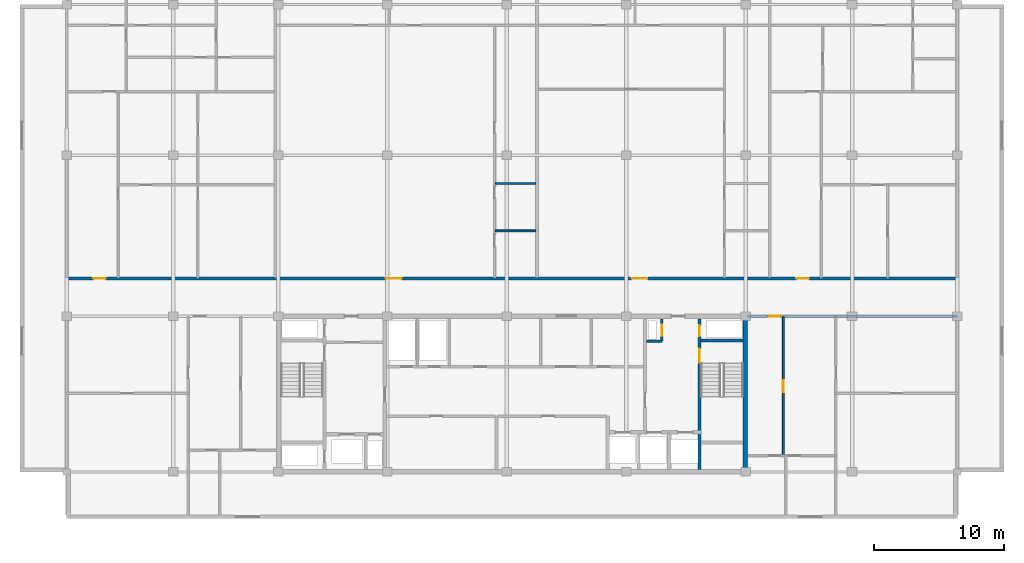
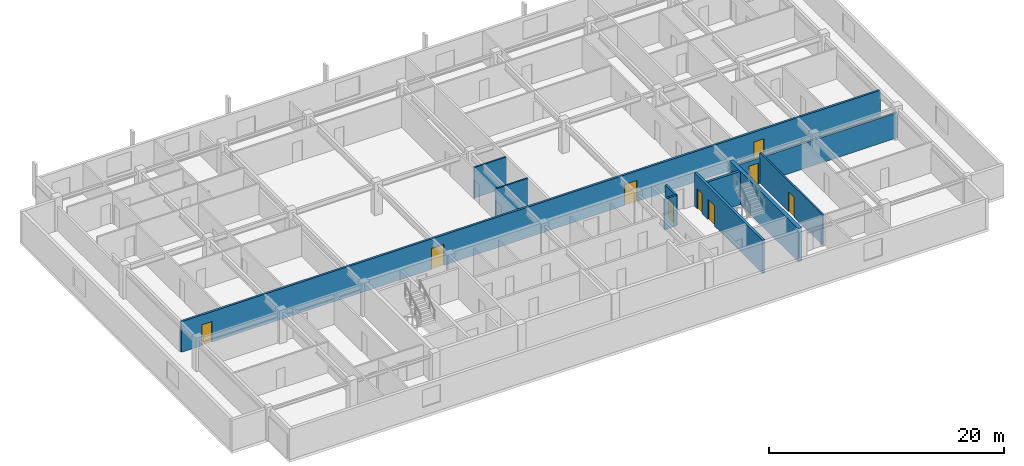
# One storey, part 5 of 10: 10 walls, 9 doors, 9 openings.
"""IFC4 building model written with IfcOpenShell, lengths in metres."""

from ifc_helpers import new_model, si_unit, direction, frame, frame_2d, origin, place, context, subcontext, project, spatial, rectangle, extrude, material, layer, layer_set, type_object, element, fill, save


model = new_model("IFC4")

# Units and contexts
model_context = context("Model", 3, precision=1e-05, world=origin(), true_north=direction((0.0, 1.0)))
body_context = subcontext(model_context, "Body", "Model", "MODEL_VIEW")
ifc_project = project(units=[si_unit("LENGTHUNIT", "METRE"), si_unit("AREAUNIT", "SQUARE_METRE"), si_unit("VOLUMEUNIT", "CUBIC_METRE"), si_unit("PLANEANGLEUNIT", "RADIAN"), si_unit("MASSUNIT", "GRAM", prefix="KILO")], contexts=[model_context])

# Site, building, storey
site_placement = place(None, origin())
site = spatial("IfcSite", under=ifc_project, at=site_placement, CompositionType="ELEMENT")
building_placement = place(site_placement, origin())
building = spatial("IfcBuilding", under=site, at=building_placement, Name="Korimba Cascade Residences", CompositionType="ELEMENT")
storey_placement = place(building_placement, frame((0.0, 0.0, 239.0)))
storey = spatial("IfcBuildingStorey", under=building, at=storey_placement, Name="L69", CompositionType="ELEMENT", Elevation=239.0)

# Wall
ifc_material_1 = material(Name="Concrete C65/80", Category="concrete")
ifc_layer_1 = layer(ifc_material_1, 0.35009765625)
ifc_layer_set_1 = layer_set([ifc_layer_1], Name="Concrete C65/80")
wall_type_1 = type_object("IfcWallType", Name="WAL-CORE-350", PredefinedType="SHEAR", material=ifc_layer_set_1)
wall_1_placement = place(storey_placement, frame((112.074951171875, 55.375, 0.0), z_axis=(0.0, 0.0, 1.0), x_axis=(0.0, 1.0, 0.0)))
element("IfcWall", 1, at=wall_1_placement, inside=storey, type_object=wall_type_1, Name="L69 Core Shear Wall CW-L69-T1-E", PredefinedType="SHEAR", context=body_context, shape_type="SweptSolid", body=[
    extrude(rectangle(XDim=11.64990234375, YDim=0.35009765625, at=frame_2d((5.824951171875, 0.0))), origin(), (0.0, 0.0, 1.0), 3.449951171875),
])

# Wall, opening, door
ifc_material_2 = material(Name="Precast concrete C40/50", Category="concrete")
ifc_layer_2 = layer(ifc_material_2, 0.199951171875)
ifc_layer_set_2 = layer_set([ifc_layer_2], Name="Precast concrete C40/50")
wall_type_2 = type_object("IfcWallType", Name="WAL-IT-200", PredefinedType="PARTITIONING", material=ifc_layer_set_2)
wall_2_placement = place(storey_placement, frame((112.25, 67.199951171875, 0.0), z_axis=(0.0, 0.0, 1.0), x_axis=(1.0, 0.0, 0.0)))
wall_2 = element("IfcWall", 2, at=wall_2_placement, inside=storey, type_object=wall_type_2, Name="L69 Partition Wall WAL-L69-T1-FE-N", PredefinedType="PARTITIONING", context=body_context, shape_type="SweptSolid", body=[
    extrude(rectangle(XDim=16.14990234375, YDim=0.199951171875, at=frame_2d((8.074951171875, 0.0))), origin(), (0.0, 0.0, 1.0), 2.63330078125),
])
opening_1_placement = place(wall_2_placement, frame((1.580078125, 0.0, 0.0)))
opening_1 = element("IfcOpeningElement", 3, at=opening_1_placement, cuts=wall_2, Name="Opening D-UN1", PredefinedType="OPENING", context=body_context, shape_type="SweptSolid", body=[
    extrude(rectangle(XDim=0.949951171875, YDim=2.14990234375, at=frame_2d((0.47509765625, 1.074951171875))), frame((0.0, 0.10986328125, 0.0), z_axis=(0.0, -1.0, 0.0), x_axis=(1.0, 0.0, 0.0)), (0.0, 0.0, 1.0), 0.219970703125),
])
ifc_material_3 = material(Name="Fire-Rated Hardwood Apartment Entrance Door", Category="wood")
door_type_1 = type_object("IfcDoorType", Name="DR-FD60-950", OperationType="NOTDEFINED", PredefinedType="DOOR", material=ifc_material_3)
door_1_placement = place(opening_1_placement, origin())
door_1 = element("IfcDoor", 4, at=door_1_placement, inside=storey, type_object=door_type_1, Name="L69-T1-FE Entrance Door", OperationType="SINGLE_SWING_LEFT", OverallHeight=2.14990234375, OverallWidth=0.949951171875, PredefinedType="DOOR", context=body_context, shape_type="SweptSolid", body=[
    extrude(rectangle(XDim=0.949951171875, YDim=2.14990234375, at=frame_2d((0.47509765625, 1.074951171875))), frame((0.0, 0.02490234375, 0.0), z_axis=(0.0, -1.0, 0.0), x_axis=(1.0, 0.0, 0.0)), (0.0, 0.0, 1.0), 0.050048828125),
])
fill(opening_1, door_1)

# Wall, openings, doors
wall_3_placement = place(storey_placement, frame((59.800048828125, 70.10009765625, 0.0), z_axis=(0.0, 0.0, 1.0), x_axis=(1.0, 0.0, 0.0)))
wall_3 = element("IfcWall", 5, at=wall_3_placement, inside=storey, type_object=wall_type_2, Name="L69 Partition Wall WAL-L69-T1-CORN", PredefinedType="PARTITIONING", context=body_context, shape_type="SweptSolid", body=[
    extrude(rectangle(XDim=68.599853515625, YDim=0.199951171875, at=frame_2d((34.2998046875, 0.0))), origin(), (0.0, 0.0, 1.0), 3.169921875),
])
opening_2_placement = place(wall_3_placement, frame((2.044921875, 0.0, 0.0)))
opening_2 = element("IfcOpeningElement", 6, at=opening_2_placement, cuts=wall_3, Name="Opening D-UN1", PredefinedType="OPENING", context=body_context, shape_type="SweptSolid", body=[
    extrude(rectangle(XDim=0.949951171875, YDim=2.14990234375, at=frame_2d((0.47509765625, 1.074951171875))), frame((0.0, 0.10986328125, 0.0), z_axis=(0.0, -1.0, 0.0), x_axis=(1.0, 0.0, 0.0)), (0.0, 0.0, 1.0), 0.219970703125),
])
opening_3_placement = place(wall_3_placement, frame((24.569580078125, 0.0, 0.0)))
opening_3 = element("IfcOpeningElement", 7, at=opening_3_placement, cuts=wall_3, Name="Opening D-AM1", PredefinedType="OPENING", context=body_context, shape_type="SweptSolid", body=[
    extrude(rectangle(XDim=1.219970703125, YDim=2.179931640625, at=frame_2d((0.60986328125, 1.08984375))), frame((0.0, 0.10986328125, 0.0), z_axis=(0.0, -1.0, 0.0), x_axis=(1.0, 0.0, 0.0)), (0.0, 0.0, 1.0), 0.219970703125),
])
opening_4_placement = place(wall_3_placement, frame((43.506591796875, 0.0, 0.0)))
opening_4 = element("IfcOpeningElement", 8, at=opening_4_placement, cuts=wall_3, Name="Opening D-AM1", PredefinedType="OPENING", context=body_context, shape_type="SweptSolid", body=[
    extrude(rectangle(XDim=1.219970703125, YDim=2.179931640625, at=frame_2d((0.60986328125, 1.08984375))), frame((0.0, 0.10986328125, 0.0), z_axis=(0.0, -1.0, 0.0), x_axis=(1.0, 0.0, 0.0)), (0.0, 0.0, 1.0), 0.219970703125),
])
opening_5_placement = place(wall_3_placement, frame((56.2138671875, 0.0, 0.0)))
opening_5 = element("IfcOpeningElement", 9, at=opening_5_placement, cuts=wall_3, Name="Opening D-UN1", PredefinedType="OPENING", context=body_context, shape_type="SweptSolid", body=[
    extrude(rectangle(XDim=0.949951171875, YDim=2.14990234375, at=frame_2d((0.47509765625, 1.074951171875))), frame((0.0, 0.10986328125, 0.0), z_axis=(0.0, -1.0, 0.0), x_axis=(1.0, 0.0, 0.0)), (0.0, 0.0, 1.0), 0.219970703125),
])
ifc_material_4 = material(Name="Fire-Rated Glazed Timber Suite Door", Category="wood")
door_type_2 = type_object("IfcDoorType", Name="DR-FD60-1200", OperationType="NOTDEFINED", PredefinedType="DOOR", material=ifc_material_4)
door_2_placement = place(opening_3_placement, origin())
door_2 = element("IfcDoor", 10, at=door_2_placement, inside=storey, type_object=door_type_2, Name="L69-T1-U02 Executive Co-Working Office Door", OperationType="SINGLE_SWING_RIGHT", OverallHeight=2.179931640625, OverallWidth=1.219970703125, PredefinedType="DOOR", context=body_context, shape_type="SweptSolid", body=[
    extrude(rectangle(XDim=1.219970703125, YDim=2.179931640625, at=frame_2d((0.60986328125, 1.08984375))), frame((0.0, 0.02490234375, 0.0), z_axis=(0.0, -1.0, 0.0), x_axis=(1.0, 0.0, 0.0)), (0.0, 0.0, 1.0), 0.050048828125),
])
fill(opening_3, door_2)
door_3_placement = place(opening_4_placement, origin())
door_3 = element("IfcDoor", 11, at=door_3_placement, inside=storey, type_object=door_type_2, Name="L69-T1-U03 Health Consultation Clinic Door", OperationType="SINGLE_SWING_LEFT", OverallHeight=2.179931640625, OverallWidth=1.219970703125, PredefinedType="DOOR", context=body_context, shape_type="SweptSolid", body=[
    extrude(rectangle(XDim=1.219970703125, YDim=2.179931640625, at=frame_2d((0.60986328125, 1.08984375))), frame((0.0, 0.02490234375, 0.0), z_axis=(0.0, -1.0, 0.0), x_axis=(1.0, 0.0, 0.0)), (0.0, 0.0, 1.0), 0.050048828125),
])
fill(opening_4, door_3)
door_4_placement = place(opening_2_placement, origin())
door_4 = element("IfcDoor", 12, at=door_4_placement, inside=storey, type_object=door_type_1, Name="Unit L69-T1-U01 Entrance Door", OperationType="SINGLE_SWING_LEFT", OverallHeight=2.14990234375, OverallWidth=0.949951171875, PredefinedType="DOOR", context=body_context, shape_type="SweptSolid", body=[
    extrude(rectangle(XDim=0.949951171875, YDim=2.14990234375, at=frame_2d((0.47509765625, 1.074951171875))), frame((0.0, 0.02490234375, 0.0), z_axis=(0.0, -1.0, 0.0), x_axis=(1.0, 0.0, 0.0)), (0.0, 0.0, 1.0), 0.050048828125),
])
fill(opening_2, door_4)
door_5_placement = place(opening_5_placement, origin())
door_5 = element("IfcDoor", 13, at=door_5_placement, inside=storey, type_object=door_type_1, Name="Unit L69-T1-U04 Entrance Door", OperationType="SINGLE_SWING_RIGHT", OverallHeight=2.14990234375, OverallWidth=0.949951171875, PredefinedType="DOOR", context=body_context, shape_type="SweptSolid", body=[
    extrude(rectangle(XDim=0.949951171875, YDim=2.14990234375, at=frame_2d((0.47509765625, 1.074951171875))), frame((0.0, 0.02490234375, 0.0), z_axis=(0.0, -1.0, 0.0), x_axis=(1.0, 0.0, 0.0)), (0.0, 0.0, 1.0), 0.050048828125),
])
fill(opening_5, door_5)

# Wall, opening, door
ifc_material_5 = material(Name="Insulated Acoustic Stud Partition", Category="gypsum")
ifc_layer_3 = layer(ifc_material_5, 0.14990234375)
ifc_layer_set_3 = layer_set([ifc_layer_3], Name="Insulated Acoustic Stud Partition")
wall_type_3 = type_object("IfcWallType", Name="WAL-PART-150", PredefinedType="PARTITIONING", material=ifc_layer_set_3)
wall_4_placement = place(storey_placement, frame((115.0, 56.449951171875, 0.0), z_axis=(0.0, 0.0, 1.0), x_axis=(0.0, 1.0, 0.0)))
wall_4 = element("IfcWall", 14, at=wall_4_placement, inside=storey, type_object=wall_type_3, Name="L69 Partition Wall WAL-L69-T1-FE-VN", PredefinedType="PARTITIONING", context=body_context, shape_type="SweptSolid", body=[
    extrude(rectangle(XDim=10.699951171875, YDim=0.14990234375, at=frame_2d((5.35009765625, 0.0))), origin(), (0.0, 0.0, 1.0), 3.169921875),
])
opening_6_placement = place(wall_4_placement, frame((4.889892578125, 0.0, 0.0)))
opening_6 = element("IfcOpeningElement", 15, at=opening_6_placement, cuts=wall_4, Name="Opening D-IN1", PredefinedType="OPENING", context=body_context, shape_type="SweptSolid", body=[
    extrude(rectangle(XDim=0.919921875, YDim=2.080078125, at=frame_2d((0.4599609375, 1.0400390625))), frame((0.0, 0.0849609375, 0.0), z_axis=(0.0, -1.0, 0.0), x_axis=(1.0, 0.0, 0.0)), (0.0, 0.0, 1.0), 0.169921875),
])
ifc_material_6 = material(Name="Acoustic Timber Living Door", Category="wood")
door_type_3 = type_object("IfcDoorType", Name="DR-INT-920", OperationType="NOTDEFINED", PredefinedType="DOOR", material=ifc_material_6)
door_6_placement = place(opening_6_placement, origin())
door_6 = element("IfcDoor", 16, at=door_6_placement, inside=storey, type_object=door_type_3, Name="L69-T1-FE Living Door", OperationType="SINGLE_SWING_RIGHT", OverallHeight=2.080078125, OverallWidth=0.919921875, PredefinedType="DOOR", context=body_context, shape_type="SweptSolid", body=[
    extrude(rectangle(XDim=0.919921875, YDim=2.080078125, at=frame_2d((0.4599609375, 1.0400390625))), frame((0.0, 0.02490234375, 0.0), z_axis=(0.0, -1.0, 0.0), x_axis=(1.0, 0.0, 0.0)), (0.0, 0.0, 1.0), 0.050048828125),
])
fill(opening_6, door_6)

# Walls
for number, where, z_axis, x_axis, name in (
    (17, (92.814208984375, 73.77001953125, 0.0), (0.0, 0.0, 1.0), (1.0, 0.0, 0.0), "L69 Partition Wall WAL-L69-T1-U02-WCH"),
    (18, (92.814208984375, 77.419921875, 0.0), (0.0, 0.0, 1.0), (1.0, 0.0, 0.0), "L69 Partition Wall WAL-L69-T1-U02-WCH2"),
):
    element("IfcWall", number, at=place(storey_placement, frame(where, z_axis=z_axis, x_axis=x_axis)), inside=storey, type_object=wall_type_3, Name=name, PredefinedType="PARTITIONING", context=body_context, shape_type="SweptSolid", body=[
        extrude(rectangle(XDim=3.130126953125, YDim=0.14990234375, at=frame_2d((1.56494140625, 0.0))), origin(), (0.0, 0.0, 1.0), 3.169921875),
    ])
ifc_material_7 = material(Name="Concrete C40/50", Category="concrete")
ifc_layer_4 = layer(ifc_material_7, 0.199951171875)
ifc_layer_set_4 = layer_set([ifc_layer_4], Name="Concrete C40/50")
wall_type_4 = type_object("IfcWallType", Name="WAL-PART-200", PredefinedType="PARTITIONING", material=ifc_layer_set_4)
wall_5_placement = place(storey_placement, frame((104.449951171875, 65.280029296875, 0.0), z_axis=(0.0, 0.0, 1.0), x_axis=(1.0, 0.0, 0.0)))
element("IfcWall", 19, at=wall_5_placement, inside=storey, type_object=wall_type_4, Name="L69 Partition Wall CW-L69-T1-HYDW2S", PredefinedType="PARTITIONING", context=body_context, shape_type="SweptSolid", body=[
    extrude(rectangle(XDim=1.199951171875, YDim=0.199951171875, at=frame_2d((0.60009765625, 0.0))), origin(), (0.0, 0.0, 1.0), 3.169921875),
])

# Wall, opening, door
wall_6_placement = place(storey_placement, frame((105.64990234375, 65.280029296875, 0.0), z_axis=(0.0, 0.0, 1.0), x_axis=(0.0, 1.0, 0.0)))
wall_6 = element("IfcWall", 20, at=wall_6_placement, inside=storey, type_object=wall_type_4, Name="L69 Partition Wall CW-L69-T1-HYDW2E", PredefinedType="PARTITIONING", context=body_context, shape_type="SweptSolid", body=[
    extrude(rectangle(XDim=1.719970703125, YDim=0.199951171875, at=frame_2d((0.85986328125, 0.0))), origin(), (0.0, 0.0, 1.0), 3.169921875),
])
opening_7_placement = place(wall_6_placement, frame((0.39990234375, 0.0, 0.0)))
opening_7 = element("IfcOpeningElement", 21, at=opening_7_placement, cuts=wall_6, Name="Opening D-RS1", PredefinedType="OPENING", context=body_context, shape_type="SweptSolid", body=[
    extrude(rectangle(XDim=0.85009765625, YDim=2.050048828125, at=frame_2d((0.425048828125, 1.02490234375))), frame((0.0, 0.10986328125, 0.0), z_axis=(0.0, -1.0, 0.0), x_axis=(1.0, 0.0, 0.0)), (0.0, 0.0, 1.0), 0.219970703125),
])
ifc_material_8 = material(Name="Fire-Rated Steel Riser Access Door", Category="steel")
door_type_4 = type_object("IfcDoorType", Name="DR-FD60-850", OperationType="NOTDEFINED", PredefinedType="DOOR", material=ifc_material_8)
door_7_placement = place(opening_7_placement, origin())
door_7 = element("IfcDoor", 22, at=door_7_placement, inside=storey, type_object=door_type_4, Name="L69 East Hydrant Door", OperationType="SINGLE_SWING_RIGHT", OverallHeight=2.050048828125, OverallWidth=0.85009765625, PredefinedType="DOOR", context=body_context, shape_type="SweptSolid", body=[
    extrude(rectangle(XDim=0.85009765625, YDim=2.050048828125, at=frame_2d((0.425048828125, 1.02490234375))), frame((0.0, 0.02490234375, 0.0), z_axis=(0.0, -1.0, 0.0), x_axis=(1.0, 0.0, 0.0)), (0.0, 0.0, 1.0), 0.050048828125),
])
fill(opening_7, door_7)

# Wall, openings, doors
ifc_material_9 = material(Name="Concrete C50/60", Category="concrete")
ifc_layer_5 = layer(ifc_material_9, 0.25)
ifc_layer_set_5 = layer_set([ifc_layer_5], Name="Concrete C50/60")
wall_type_5 = type_object("IfcWallType", Name="WAL-SHAFT-250", PredefinedType="SHEAR", material=ifc_layer_set_5)
wall_7_placement = place(storey_placement, frame((108.534912109375, 55.39990234375, 0.0), z_axis=(0.0, 0.0, 1.0), x_axis=(0.0, 1.0, 0.0)))
wall_7 = element("IfcWall", 23, at=wall_7_placement, inside=storey, type_object=wall_type_5, Name="L69 Core Shear Wall CW-L69-T1-STW2W", PredefinedType="SHEAR", context=body_context, shape_type="SweptSolid", body=[
    extrude(rectangle(XDim=11.60009765625, YDim=0.25, at=frame_2d((5.800048828125, 0.0))), origin(), (0.0, 0.0, 1.0), 3.449951171875),
])
opening_8_placement = place(wall_7_placement, frame((8.199951171875, 0.0, 0.0)))
opening_8 = element("IfcOpeningElement", 24, at=opening_8_placement, cuts=wall_7, Name="Opening D-FD1", PredefinedType="OPENING", context=body_context, shape_type="SweptSolid", body=[
    extrude(rectangle(XDim=1.10009765625, YDim=2.10009765625, at=frame_2d((0.550048828125, 1.050048828125))), frame((0.0, 0.135009765625, 0.0), z_axis=(0.0, -1.0, 0.0), x_axis=(1.0, 0.0, 0.0)), (0.0, 0.0, 1.0), 0.27001953125),
])
opening_9_placement = place(wall_7_placement, frame((10.25, 0.0, 0.0)))
opening_9 = element("IfcOpeningElement", 25, at=opening_9_placement, cuts=wall_7, Name="Opening D-RS1", PredefinedType="OPENING", context=body_context, shape_type="SweptSolid", body=[
    extrude(rectangle(XDim=0.85009765625, YDim=2.050048828125, at=frame_2d((0.425048828125, 1.02490234375))), frame((0.0, 0.135009765625, 0.0), z_axis=(0.0, -1.0, 0.0), x_axis=(1.0, 0.0, 0.0)), (0.0, 0.0, 1.0), 0.27001953125),
])
ifc_material_10 = material(Name="Fire-Rated Steel Core Door", Category="steel")
door_type_5 = type_object("IfcDoorType", Name="DR-FD120-1100", OperationType="NOTDEFINED", PredefinedType="DOOR", material=ifc_material_10)
door_8_placement = place(opening_8_placement, origin())
door_8 = element("IfcDoor", 26, at=door_8_placement, inside=storey, type_object=door_type_5, Name="L69 Fire Stair ST-W2 Door", OperationType="SINGLE_SWING_RIGHT", OverallHeight=2.10009765625, OverallWidth=1.10009765625, PredefinedType="DOOR", context=body_context, shape_type="SweptSolid", body=[
    extrude(rectangle(XDim=1.10009765625, YDim=2.10009765625, at=frame_2d((0.550048828125, 1.050048828125))), frame((0.0, 0.02490234375, 0.0), z_axis=(0.0, -1.0, 0.0), x_axis=(1.0, 0.0, 0.0)), (0.0, 0.0, 1.0), 0.050048828125),
])
fill(opening_8, door_8)
door_9_placement = place(opening_9_placement, origin())
door_9 = element("IfcDoor", 27, at=door_9_placement, inside=storey, type_object=door_type_4, Name="L69 East Riser Door", OperationType="SINGLE_SWING_LEFT", OverallHeight=2.050048828125, OverallWidth=0.85009765625, PredefinedType="DOOR", context=body_context, shape_type="SweptSolid", body=[
    extrude(rectangle(XDim=0.85009765625, YDim=2.050048828125, at=frame_2d((0.425048828125, 1.02490234375))), frame((0.0, 0.02490234375, 0.0), z_axis=(0.0, -1.0, 0.0), x_axis=(1.0, 0.0, 0.0)), (0.0, 0.0, 1.0), 0.050048828125),
])
fill(opening_9, door_9)

# Wall
wall_8_placement = place(storey_placement, frame((108.659912109375, 65.324951171875, 0.0), z_axis=(0.0, 0.0, 1.0), x_axis=(1.0, 0.0, 0.0)))
element("IfcWall", 28, at=wall_8_placement, inside=storey, type_object=wall_type_5, Name="L69 Core Shear Wall CW-L69-T1-STW2N", PredefinedType="SHEAR", context=body_context, shape_type="SweptSolid", body=[
    extrude(rectangle(XDim=3.239990234375, YDim=0.25, at=frame_2d((1.6201171875, 0.0))), origin(), (0.0, 0.0, 1.0), 3.449951171875),
])

save(model, "model.ifc")
